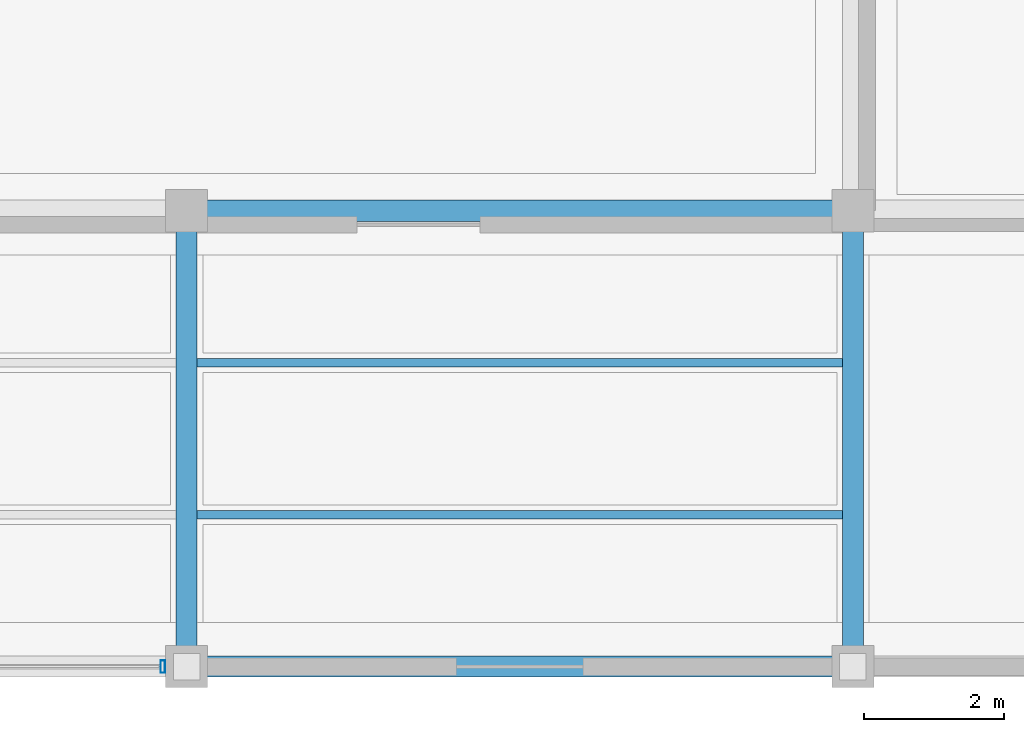
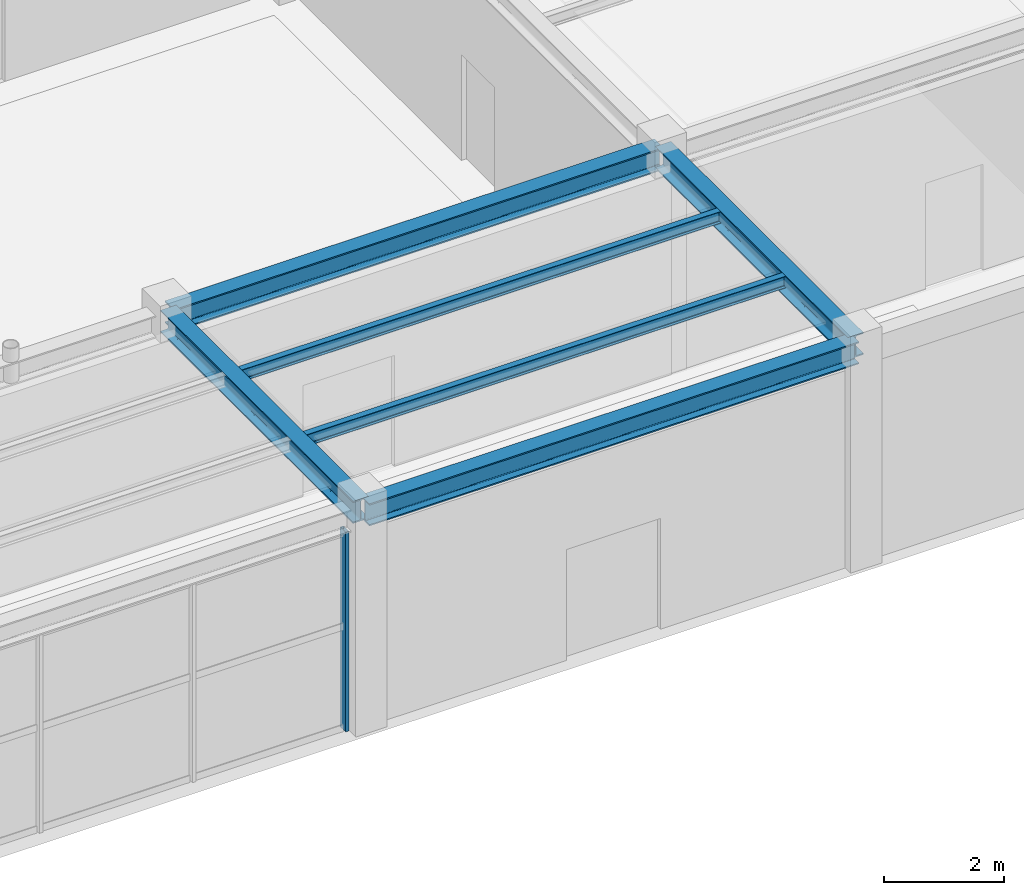
# One storey, part 22 of 108: 6 beams, 1 member, 1 element without a shape of its own.
"""IFC4 building model written with IfcOpenShell, lengths in metres."""

from ifc_helpers import new_model, si_unit, direction, frame, origin, origin_2d, place, context, subcontext, project, spatial, hollow_rectangle, i_section, extrude, material, material_profile, profile_set, type_object, element, aggregate, save


model = new_model("IFC4")

# Units and contexts
model_context = context("Model", 3, precision=1e-05, world=origin(), true_north=direction((0.0, 1.0)))
body_context = subcontext(model_context, "Body", "Model", "MODEL_VIEW")
ifc_project = project(units=[si_unit("LENGTHUNIT", "METRE"), si_unit("AREAUNIT", "SQUARE_METRE"), si_unit("VOLUMEUNIT", "CUBIC_METRE"), si_unit("PLANEANGLEUNIT", "RADIAN"), si_unit("MASSUNIT", "GRAM", prefix="KILO")], contexts=[model_context])

# Site, building, storey
site_placement = place(None, origin())
site = spatial("IfcSite", under=ifc_project, at=site_placement, CompositionType="ELEMENT")
building_placement = place(site_placement, origin())
building = spatial("IfcBuilding", under=site, at=building_placement, Name="Tarnveldt Headland Concert Hall", CompositionType="ELEMENT")
storey_placement = place(building_placement, origin())
storey = spatial("IfcBuildingStorey", under=building, at=storey_placement, Name="L00", CompositionType="ELEMENT", Elevation=0.0)

# Curtain wall, member
ifc_material_1 = material(Name="Marine-anodised aluminium EN AW-6063-T6", Category="aluminium")
curtain_wall_type = type_object("IfcCurtainWallType", Name="CW-L1", PredefinedType="NOTDEFINED", material=ifc_material_1)
curtain_wall_placement = place(storey_placement, origin())
curtain_wall = element("IfcCurtainWall", 1, at=curtain_wall_placement, inside=storey, type_object=curtain_wall_type, Name="Curtain wall CW-L00-164", PredefinedType="NOTDEFINED")
ifc_material_profile_1 = material_profile(ifc_material_1, hollow_rectangle(XDim=0.06494140625, YDim=0.179931640625, WallThickness=0.00390625, at=origin_2d()), Name="ALU MULLION 65x180x4", Category="aluminium")
ifc_profile_set_1 = profile_set([ifc_material_profile_1], Name="Marine-anodised aluminium EN AW-6063-T6")
member_type = type_object("IfcMemberType", Name="ML-180", PredefinedType="MULLION", material=ifc_profile_set_1)
member_placement = place(storey_placement, frame((23.659912109375, 5.0, 0.0), z_axis=(0.0, 0.0, 1.0), x_axis=(1.0, 0.0, 0.0)))
member = element("IfcMember", 2, at=member_placement, type_object=member_type, Name="Mullion CW-L00-164-4", PredefinedType="MULLION", context=body_context, shape_type="SweptSolid", body=[
    extrude(hollow_rectangle(XDim=0.06494140625, YDim=0.179931640625, WallThickness=0.00390625, at=origin_2d()), origin(), (0.0, 0.0, 1.0), 4.05810546875),
])
aggregate(curtain_wall, [member])

# Beams
ifc_material_2 = material(Name="Steel S355", Category="steel")
ifc_material_profile_2 = material_profile(ifc_material_2, i_section(OverallWidth=0.300048828125, OverallDepth=0.449951171875, WebThickness=0.013916015625, FlangeThickness=0.02587890625, FilletRadius=0.027099609375, at=origin_2d()), Name="HEB450", Category="steel")
ifc_profile_set_2 = profile_set([ifc_material_profile_2], Name="Steel S355")
beam_type_1 = type_object("IfcBeamType", Name="SB-HEB450", PredefinedType="BEAM", material=ifc_profile_set_2)
for number, where, z_axis, x_axis, name in (
    (3, (24.050048828125, 5.0, 4.294921875), (1.0, 0.0, 0.0), (0.0, 1.0, 0.0), "Framing beam L00-554"),
    (4, (24.050048828125, 11.5, 4.294921875), (1.0, 0.0, 0.0), (0.0, 1.0, 0.0), "Framing beam L00-559"),
):
    element("IfcBeam", number, at=place(storey_placement, frame(where, z_axis=z_axis, x_axis=x_axis)), inside=storey, type_object=beam_type_1, Name=name, PredefinedType="BEAM", context=body_context, shape_type="SweptSolid", body=[
        extrude(i_section(OverallWidth=0.300048828125, OverallDepth=0.449951171875, WebThickness=0.013916015625, FlangeThickness=0.02587890625, FilletRadius=0.027099609375, at=origin_2d()), origin(), (0.0, 0.0, 1.0), 9.39990234375),
    ])
for number, where, z_axis, x_axis, name in (
    (5, (24.0, 5.050048828125, 4.294921875), (0.0, 1.0, 0.0), (-1.0, 0.0, 0.0), "Framing beam L00-585"),
    (6, (33.5, 5.050048828125, 4.294921875), (0.0, 1.0, 0.0), (-1.0, 0.0, 0.0), "Framing beam L00-591"),
):
    element("IfcBeam", number, at=place(storey_placement, frame(where, z_axis=z_axis, x_axis=x_axis)), inside=storey, type_object=beam_type_1, Name=name, PredefinedType="BEAM", context=body_context, shape_type="SweptSolid", body=[
        extrude(i_section(OverallWidth=0.300048828125, OverallDepth=0.449951171875, WebThickness=0.013916015625, FlangeThickness=0.02587890625, FilletRadius=0.027099609375, at=origin_2d()), origin(), (0.0, 0.0, 1.0), 6.39990234375),
    ])
ifc_material_profile_3 = material_profile(ifc_material_2, i_section(OverallWidth=0.1201171875, OverallDepth=0.239990234375, WebThickness=0.006103515625, FlangeThickness=0.009765625, FilletRadius=0.014892578125, at=origin_2d()), Name="IPE240", Category="steel")
ifc_profile_set_3 = profile_set([ifc_material_profile_3], Name="Steel S355")
beam_type_2 = type_object("IfcBeamType", Name="SB-IPE240", PredefinedType="JOIST", material=ifc_profile_set_3)
for number, where, z_axis, x_axis, name in (
    (7, (24.14990234375, 7.1669921875, 4.39990234375), (1.0, 0.0, 0.0), (0.0, 1.0, 0.0), "Framing beam L00-586"),
    (8, (24.14990234375, 9.3330078125, 4.39990234375), (1.0, 0.0, 0.0), (0.0, 1.0, 0.0), "Framing beam L00-587"),
):
    element("IfcBeam", number, at=place(storey_placement, frame(where, z_axis=z_axis, x_axis=x_axis)), inside=storey, type_object=beam_type_2, Name=name, PredefinedType="JOIST", context=body_context, shape_type="SweptSolid", body=[
        extrude(i_section(OverallWidth=0.1201171875, OverallDepth=0.239990234375, WebThickness=0.006103515625, FlangeThickness=0.009765625, FilletRadius=0.014892578125, at=origin_2d()), origin(), (0.0, 0.0, 1.0), 9.2001953125),
    ])

save(model, "model.ifc")
